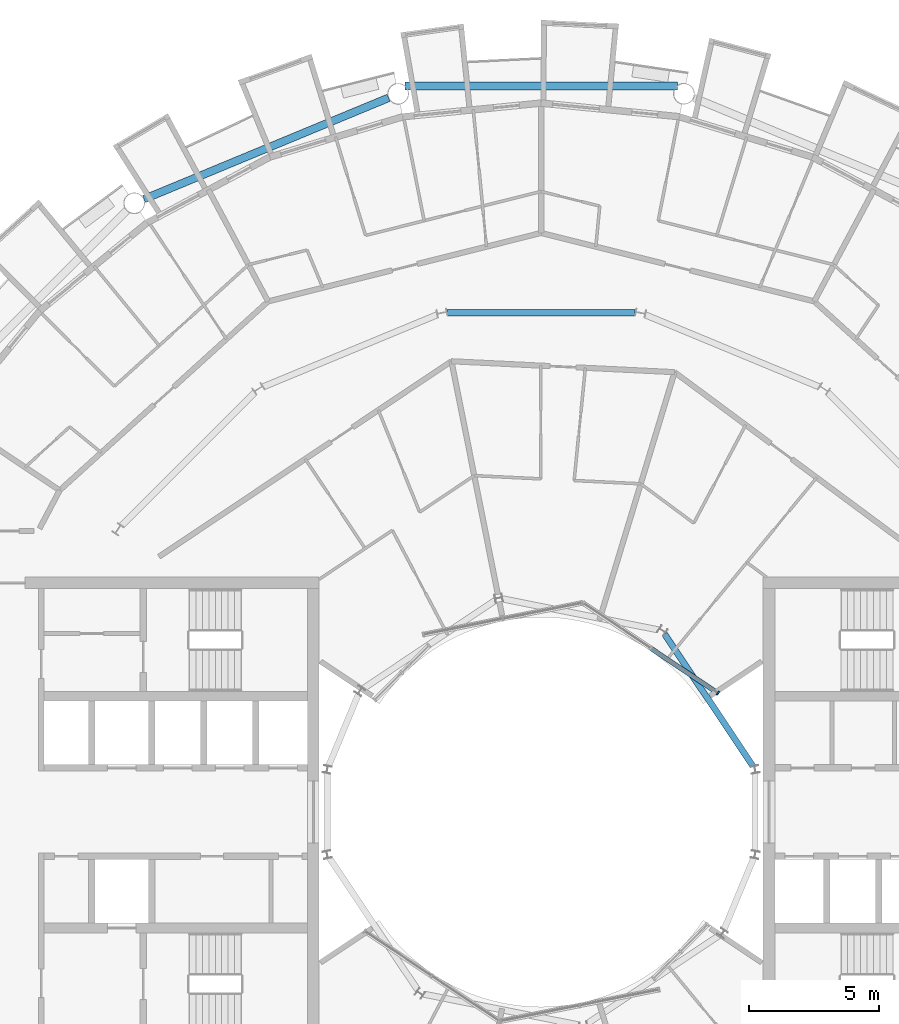
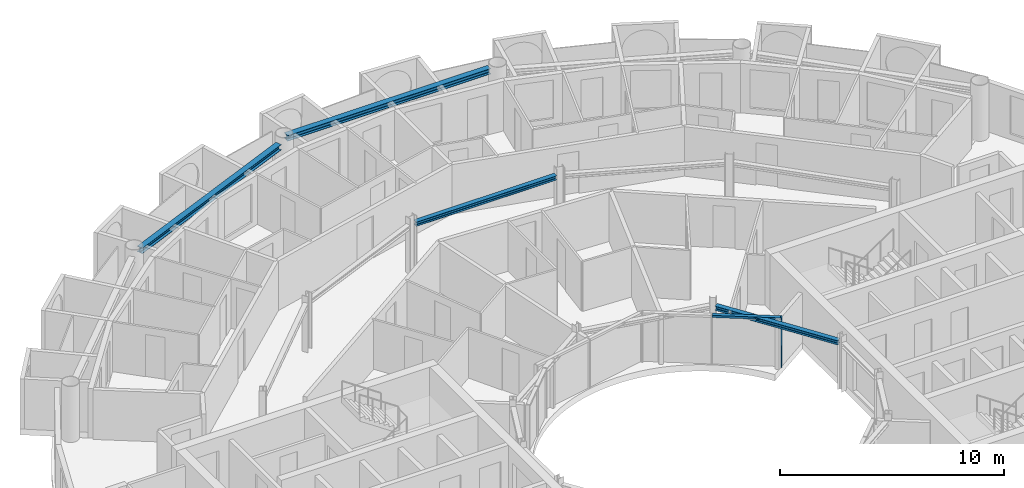
# One storey, part 10 of 29: 4 beams, 2 members, 1 element without a shape of its own.
"""IFC4 building model written with IfcOpenShell, lengths in metres."""

from ifc_helpers import new_model, si_unit, direction, frame, origin, origin_2d, place, context, subcontext, project, spatial, rectangle, i_section, extrude, material, layer, layer_set, material_profile, profile_set, type_object, element, aggregate, save


model = new_model("IFC4")

# Units and contexts
model_context = context("Model", 3, precision=1e-05, world=origin(), true_north=direction((0.0, 1.0)))
body_context = subcontext(model_context, "Body", "Model", "MODEL_VIEW")
ifc_project = project(units=[si_unit("LENGTHUNIT", "METRE"), si_unit("AREAUNIT", "SQUARE_METRE"), si_unit("VOLUMEUNIT", "CUBIC_METRE"), si_unit("PLANEANGLEUNIT", "RADIAN"), si_unit("MASSUNIT", "GRAM", prefix="KILO")], contexts=[model_context])

# Site, building, storey
site_placement = place(None, origin())
site = spatial("IfcSite", under=ifc_project, at=site_placement, CompositionType="ELEMENT")
building_placement = place(site_placement, origin())
building = spatial("IfcBuilding", under=site, at=building_placement, Name="Maasbend Ring Residences", CompositionType="ELEMENT")
storey_placement = place(building_placement, frame((0.0, 0.0, 190.199951171875)))
storey = spatial("IfcBuildingStorey", under=building, at=storey_placement, Name="L54", CompositionType="ELEMENT", Elevation=190.199951171875)

# Curtain wall, members
ifc_material_1 = material(Name="Aluminium and clear glass", Category="aluminium")
ifc_layer = layer(ifc_material_1, 0.179931640625)
ifc_layer_set = layer_set([ifc_layer], Name="CW-W")
curtain_wall_type = type_object("IfcCurtainWallType", Name="CW-W", PredefinedType="NOTDEFINED", material=ifc_layer_set)
curtain_wall_placement = place(storey_placement, origin())
curtain_wall = element("IfcCurtainWall", 1, at=curtain_wall_placement, inside=storey, type_object=curtain_wall_type, Name="Well curtain wall N1", PredefinedType="NOTDEFINED")
ifc_material_2 = material(Name="Aluminium 6063-T6", Category="aluminium")
ifc_material_profile_1 = material_profile(ifc_material_2, rectangle(XDim=0.179931640625, YDim=0.06005859375, at=origin_2d()), Name="AL 180x60")
ifc_profile_set_1 = profile_set([ifc_material_profile_1], Name="Aluminium 6063-T6")
member_type_1 = type_object("IfcMemberType", Name="CWM-W", PredefinedType="MULLION", material=ifc_profile_set_1)
member_1_placement = place(storey_placement, frame((6.805908203125, 4.580810546875, 0.0), z_axis=(0.0, 0.0, 1.0), x_axis=(-0.55557023302, -0.831469612303, 0.0)))
member_1 = element("IfcMember", 2, at=member_1_placement, type_object=member_type_1, Name="Mullion well face", PredefinedType="MULLION", context=body_context, shape_type="SweptSolid", body=[
    extrude(rectangle(XDim=0.179931640625, YDim=0.06005859375, at=origin_2d()), origin(), (0.0, 0.0, 1.0), 2.699951171875),
])
ifc_material_3 = material(Name="Aluminium 6063-T6", Category="aluminium")
ifc_material_profile_2 = material_profile(ifc_material_3, rectangle(XDim=0.179931640625, YDim=0.1201171875, at=origin_2d()), Name="AL 180x120")
ifc_profile_set_2 = profile_set([ifc_material_profile_2], Name="Aluminium 6063-T6")
member_type_2 = type_object("IfcMemberType", Name="CWT-W", PredefinedType="USERDEFINED", material=ifc_profile_set_2)
member_2_placement = place(storey_placement, frame((6.781005859375, 4.59765625, 2.64013671875), z_axis=(-0.831496422459, 0.555530106689, 0.0), x_axis=(-0.555530106689, -0.831496422459, 0.0)))
member_2 = element("IfcMember", 3, at=member_2_placement, type_object=member_type_2, Name="Transom well face", ObjectType="TRANSOM", PredefinedType="USERDEFINED", context=body_context, shape_type="SweptSolid", body=[
    extrude(rectangle(XDim=0.179931640625, YDim=0.1201171875, at=origin_2d()), origin(), (0.0, 0.0, 1.0), 3.053955078125),
])
aggregate(curtain_wall, [member_1, member_2])

# Beams
ifc_material_4 = material(Name="Steel S355J2", Category="steel")
ifc_material_profile_3 = material_profile(ifc_material_4, i_section(OverallWidth=0.239990234375, OverallDepth=0.22998046875, WebThickness=0.007568359375, FlangeThickness=0.011962890625, FilletRadius=0.02099609375, at=origin_2d()), Name="HEA 240")
ifc_profile_set_3 = profile_set([ifc_material_profile_3], Name="Steel S355J2")
beam_type_1 = type_object("IfcBeamType", Name="Corridor ring beam HEA 240", PredefinedType="BEAM", material=ifc_profile_set_3)
beam_1_placement = place(storey_placement, frame((3.619873046875, 19.223388671875, 2.5849609375), z_axis=(-1.0, 0.0, 0.0), x_axis=(0.0, -1.0, 0.0)))
element("IfcBeam", 4, at=beam_1_placement, inside=storey, type_object=beam_type_1, Name="Corridor ring beam", PredefinedType="BEAM", context=body_context, shape_type="SweptSolid", body=[
    extrude(i_section(OverallWidth=0.239990234375, OverallDepth=0.22998046875, WebThickness=0.007568359375, FlangeThickness=0.011962890625, FilletRadius=0.02099609375, at=origin_2d()), origin(), (0.0, 0.0, 1.0), 7.23974609375),
])
ifc_material_5 = material(Name="Steel S355J2", Category="steel")
ifc_material_profile_4 = material_profile(ifc_material_5, i_section(OverallWidth=0.300048828125, OverallDepth=0.300048828125, WebThickness=0.010986328125, FlangeThickness=0.01904296875, FilletRadius=0.027099609375, at=origin_2d()), Name="HEB 300")
ifc_profile_set_4 = profile_set([ifc_material_profile_4], Name="Steel S355J2")
beam_type_2 = type_object("IfcBeamType", Name="Spandrel ring beam HEB 300", PredefinedType="SPANDREL", material=ifc_profile_set_4)
beam_2_placement = place(storey_placement, frame((5.2451171875, 27.9580078125, 2.550048828125), z_axis=(-1.0, 0.0, 0.0), x_axis=(0.0, -1.0, 0.0)))
element("IfcBeam", 5, at=beam_2_placement, inside=storey, type_object=beam_type_2, Name="Spandrel ring beam", PredefinedType="SPANDREL", context=body_context, shape_type="SweptSolid", body=[
    extrude(i_section(OverallWidth=0.300048828125, OverallDepth=0.300048828125, WebThickness=0.010986328125, FlangeThickness=0.01904296875, FilletRadius=0.027099609375, at=origin_2d()), origin(), (0.0, 0.0, 1.0), 10.490234375),
])
beam_3_placement = place(storey_placement, frame((-5.877197265625, 27.50244140625, 2.550048828125), z_axis=(-0.923883676188, -0.382673428492, 0.0), x_axis=(0.382673428492, -0.923883676188, 0.0)))
element("IfcBeam", 6, at=beam_3_placement, inside=storey, type_object=beam_type_2, Name="Spandrel ring beam", PredefinedType="SPANDREL", context=body_context, shape_type="SweptSolid", body=[
    extrude(i_section(OverallWidth=0.300048828125, OverallDepth=0.300048828125, WebThickness=0.010986328125, FlangeThickness=0.01904296875, FilletRadius=0.027099609375, at=origin_2d()), origin(), (0.0, 0.0, 1.0), 10.18994140625),
])
ifc_material_6 = material(Name="Steel S355J2", Category="steel")
ifc_material_profile_5 = material_profile(ifc_material_6, i_section(OverallWidth=0.239990234375, OverallDepth=0.22998046875, WebThickness=0.007568359375, FlangeThickness=0.011962890625, FilletRadius=0.02099609375, at=origin_2d()), Name="HEA 240")
ifc_profile_set_5 = profile_set([ifc_material_profile_5], Name="Steel S355J2")
beam_type_3 = type_object("IfcBeamType", Name="Well edge beam HEA 240", PredefinedType="BEAM", material=ifc_profile_set_5)
beam_4_placement = place(storey_placement, frame((8.1513671875, 1.769287109375, 2.5849609375), z_axis=(-0.555584356119, 0.831460175376, 0.0), x_axis=(-0.831460175376, -0.555584356119, 0.0)))
element("IfcBeam", 7, at=beam_4_placement, inside=storey, type_object=beam_type_3, Name="Well edge beam", PredefinedType="BEAM", context=body_context, shape_type="SweptSolid", body=[
    extrude(i_section(OverallWidth=0.239990234375, OverallDepth=0.22998046875, WebThickness=0.007568359375, FlangeThickness=0.011962890625, FilletRadius=0.02099609375, at=origin_2d()), origin(), (0.0, 0.0, 1.0), 6.115234375),
])

save(model, "model.ifc")
